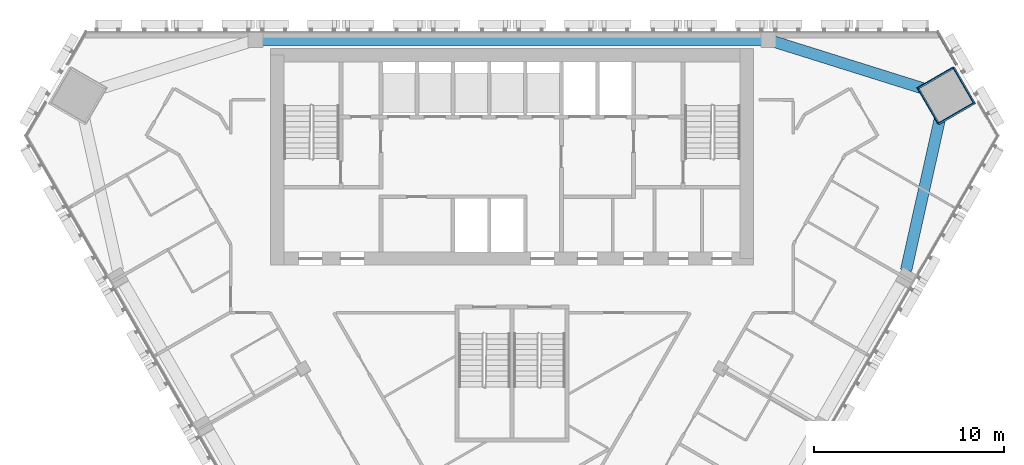
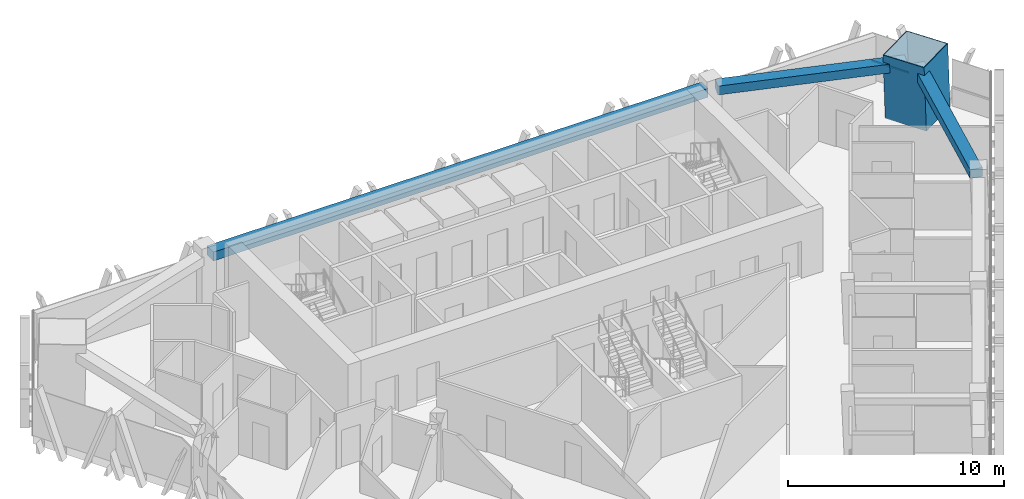
# One storey, part 6 of 16: 3 beams, 2 members, 1 element without a shape of its own.
"""IFC4 building model written with IfcOpenShell, lengths in metres."""

from ifc_helpers import new_model, si_unit, direction, frame, origin, origin_2d, place, context, subcontext, project, spatial, rectangle, hollow_rectangle, extrude, material, layer, layer_set, material_profile, profile_set, type_object, element, aggregate, save


model = new_model("IFC4")

# Units and contexts
model_context = context("Model", 3, precision=1e-05, world=origin(), true_north=direction((0.0, 1.0)))
body_context = subcontext(model_context, "Body", "Model", "MODEL_VIEW")
ifc_project = project(units=[si_unit("LENGTHUNIT", "METRE"), si_unit("AREAUNIT", "SQUARE_METRE"), si_unit("VOLUMEUNIT", "CUBIC_METRE"), si_unit("PLANEANGLEUNIT", "RADIAN"), si_unit("MASSUNIT", "GRAM", prefix="KILO")], contexts=[model_context])

# Site, building, storey
site_placement = place(None, origin())
site = spatial("IfcSite", under=ifc_project, at=site_placement, CompositionType="ELEMENT")
building_placement = place(site_placement, origin())
building = spatial("IfcBuilding", under=site, at=building_placement, Name="Altiplano Prism Tower", CompositionType="ELEMENT")
storey_placement = place(building_placement, frame((0.0, 0.0, 198.0)))
storey = spatial("IfcBuildingStorey", under=building, at=storey_placement, Name="L51", CompositionType="ELEMENT", Elevation=198.0)

# Curtain wall, member
ifc_material_1 = material(Name="Aluminium and glass", Category="aluminium")
ifc_layer = layer(ifc_material_1, 0.280029296875)
ifc_layer_set = layer_set([ifc_layer], Name="Aluminium and glass")
curtain_wall_type = type_object("IfcCurtainWallType", Name="CW1 typical co-living unitised curtain wall", PredefinedType="NOTDEFINED", material=ifc_layer_set)
curtain_wall_placement = place(storey_placement, origin())
curtain_wall = element("IfcCurtainWall", 1, at=curtain_wall_placement, inside=storey, type_object=curtain_wall_type, Name="CW1 curtain wall north-east chamfer L51", PredefinedType="NOTDEFINED")
ifc_material_2 = material(Name="Aluminium", Category="aluminium")
ifc_material_profile_1 = material_profile(ifc_material_2, rectangle(XDim=0.06005859375, YDim=0.080078125, at=origin_2d()), Name="CW1 transom 80 x 60")
ifc_profile_set_1 = profile_set([ifc_material_profile_1], Name="Aluminium")
member_type_1 = type_object("IfcMemberType", Name="CW1 transom 80 x 60", PredefinedType="USERDEFINED", material=ifc_profile_set_1)
member_1_placement = place(storey_placement, frame((108.365478515625, 103.239990234375, 1.10009765625), z_axis=(-0.499948796774, 0.866054963963, 0.0), x_axis=(-0.866054963963, -0.499948796774, 0.0)))
member_1 = element("IfcMember", 2, at=member_1_placement, type_object=member_type_1, Name="CW1 transom", ObjectType="TRANSOM", PredefinedType="USERDEFINED", context=body_context, shape_type="SweptSolid", body=[
    extrude(rectangle(XDim=0.06005859375, YDim=0.080078125, at=origin_2d()), origin(), (0.0, 0.0, 1.0), 1.991943359375),
])
aggregate(curtain_wall, [member_1])

# Beams
ifc_material_3 = material(Name="Concrete C60/75", Category="concrete")
ifc_material_profile_2 = material_profile(ifc_material_3, rectangle(XDim=0.60009765625, YDim=0.5, at=origin_2d()), Name="Edge beam 600x500")
ifc_profile_set_2 = profile_set([ifc_material_profile_2], Name="Concrete C60/75")
beam_type = type_object("IfcBeamType", Name="Edge beam 600x500", PredefinedType="SPANDREL", material=ifc_profile_set_2)
beam_1_placement = place(storey_placement, frame((105.732421875, 92.427978515625, 2.89990234375), z_axis=(0.217868284923, 0.975978181326, 0.0), x_axis=(-0.975978181326, 0.217868284923, 0.0)))
element("IfcBeam", 3, at=beam_1_placement, inside=storey, type_object=beam_type, Name="Edge beam P24-M2 L52", PredefinedType="SPANDREL", context=body_context, shape_type="SweptSolid", body=[
    extrude(rectangle(XDim=0.60009765625, YDim=0.5, at=origin_2d()), origin(), (0.0, 0.0, 1.0), 8.98486328125),
])
beam_2_placement = place(storey_placement, frame((107.358642578125, 101.77099609375, 2.89990234375), z_axis=(-0.954152574099, 0.299320673091, 0.0), x_axis=(-0.299320673091, -0.954152574099, 0.0)))
element("IfcBeam", 4, at=beam_2_placement, inside=storey, type_object=beam_type, Name="Edge beam M2-P01 L52", PredefinedType="SPANDREL", context=body_context, shape_type="SweptSolid", body=[
    extrude(rectangle(XDim=0.60009765625, YDim=0.5, at=origin_2d()), origin(), (0.0, 0.0, 1.0), 8.985107421875),
])
beam_3_placement = place(storey_placement, frame((98.219970703125, 104.550048828125, 2.89990234375), z_axis=(-1.0, 0.0, 0.0), x_axis=(0.0, -1.0, 0.0)))
element("IfcBeam", 5, at=beam_3_placement, inside=storey, type_object=beam_type, Name="Edge beam P01-P04 L52", PredefinedType="SPANDREL", context=body_context, shape_type="SweptSolid", body=[
    extrude(rectangle(XDim=0.60009765625, YDim=0.5, at=origin_2d()), origin(), (0.0, 0.0, 1.0), 26.43994140625),
])

# Member
ifc_material_4 = material(Name="Steel S460", Category="steel")
ifc_material_profile_3 = material_profile(ifc_material_4, hollow_rectangle(XDim=2.199951171875, YDim=2.199951171875, WallThickness=0.0400390625, at=origin_2d()), Name="Mega column tube 2200")
ifc_profile_set_3 = profile_set([ifc_material_profile_3], Name="Steel S460")
member_type_2 = type_object("IfcMemberType", Name="Mega column tube 2200", PredefinedType="POST", material=ifc_profile_set_3)
member_2_placement = place(storey_placement, frame((107.890380859375, 101.60302734375, 0.0), z_axis=(-0.028401814599, 0.009218727412, 0.999554076572), x_axis=(0.50075235184, -0.865305630254, 0.022209195791)))
element("IfcMember", 6, at=member_2_placement, inside=storey, type_object=member_type_2, Name="Mega column tube M2 L51", PredefinedType="POST", context=body_context, shape_type="SweptSolid", body=[
    extrude(hollow_rectangle(XDim=2.199951171875, YDim=2.199951171875, WallThickness=0.0400390625, at=origin_2d()), origin(), (0.0, 0.0, 1.0), 3.601806640625),
])

save(model, "model.ifc")
